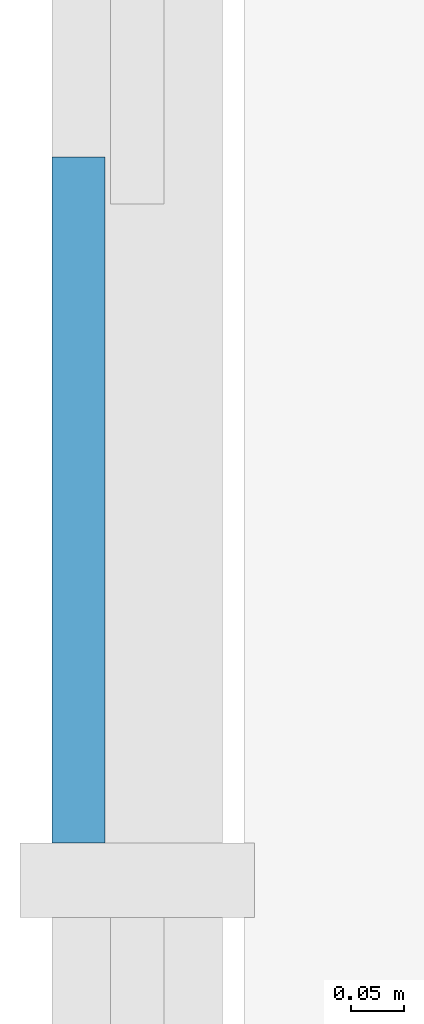
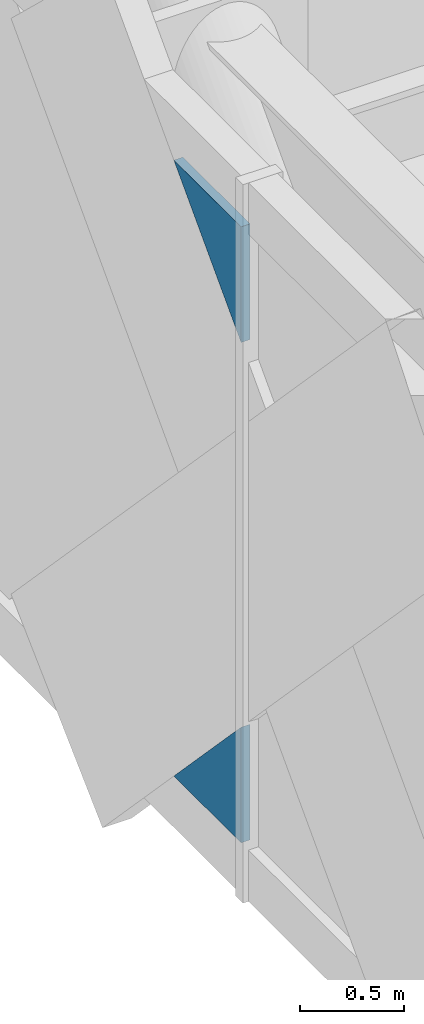
# One storey, part 12 of 18: 2 plates, 1 element without a shape of its own.
"""IFC4 building model written with IfcOpenShell, lengths in metres."""

import ifcopenshell
import ifcopenshell.guid

model = None  # the IFC model being written
_history = None  # IfcOwnerHistory: only IFC2X3 demands one
_inside = {}  # id of a spatial element -> (the spatial element, [elements in it])
_under = {}  # id of a project, library or spatial element -> (it, [spatial elements below it])
_declared = {}  # id of a project -> (the project, [libraries it declares])
_typed = {}  # id of a type object -> (the type object, [elements of that type])
_made_of = {}  # id of a material, layer set ... -> (it, [elements and type objects made of it])


def new_model(schema):
    """Start an empty IFC model of exactly this schema.

    Asked for "IFC4X3", IfcOpenShell would pick the latest addendum, in which some entities
    have other attributes; the version numbers below select the first issue.
    IFC2X3 requires an IfcOwnerHistory on every rooted entity: one is made here for all.
    """
    global model, _history
    if schema == "IFC4X3":
        model = ifcopenshell.file(schema_version=(4, 3, 0, 0))
    else:
        model = ifcopenshell.file(schema=schema)
    _inside.clear()
    _under.clear()
    _declared.clear()
    _typed.clear()
    _made_of.clear()
    _history = None
    if model.schema == "IFC2X3":
        org = make("IfcOrganization", Name="unknown")
        user = make(
            "IfcPersonAndOrganization",
            ThePerson=make("IfcPerson", FamilyName="unknown"),
            TheOrganization=org,
        )
        app = make(
            "IfcApplication",
            ApplicationDeveloper=org,
            Version="unknown",
            ApplicationFullName="unknown",
            ApplicationIdentifier="unknown",
        )
        _history = make(
            "IfcOwnerHistory",
            OwningUser=user,
            OwningApplication=app,
            ChangeAction="ADDED",
            CreationDate=0,
        )
    return model


def make(cls, **values):
    """One entity of the class cls with the attributes given. An attribute that is None is left unset."""
    return model.create_entity(
        cls, **{name: value for name, value in values.items() if value is not None}
    )


def rooted(cls, **values):
    """An entity with a GlobalId (a new one), such as an element, a storey or a relation."""
    return make(cls, GlobalId=ifcopenshell.guid.new(), OwnerHistory=_history, **values)


def si_unit(unit_type, name, prefix=None):
    """IfcSIUnit, for example si_unit("LENGTHUNIT", "METRE", prefix="MILLI")."""
    return make("IfcSIUnit", UnitType=unit_type, Prefix=prefix, Name=name)


def assignment(units):
    """IfcUnitAssignment: the units of a project."""
    return None if units is None else make("IfcUnitAssignment", Units=units)


def point(xyz):
    """IfcCartesianPoint."""
    return None if xyz is None else make("IfcCartesianPoint", Coordinates=xyz)


def direction(xyz):
    """IfcDirection."""
    return None if xyz is None else make("IfcDirection", DirectionRatios=xyz)


def frame(location, z_axis=None, x_axis=None):
    """IfcAxis2Placement3D, a coordinate frame: its origin and axes. An axis left out is left unset."""
    return make(
        "IfcAxis2Placement3D",
        Location=point(location),
        Axis=direction(z_axis),
        RefDirection=direction(x_axis),
    )


def origin():
    """The frame at (0, 0, 0) with its axes left unset."""
    return frame((0.0, 0.0, 0.0))


def place(relative_to, where):
    """IfcLocalPlacement: puts the frame where relative to a parent placement (None: the world)."""
    return make(
        "IfcLocalPlacement", PlacementRelTo=relative_to, RelativePlacement=where
    )


def context(
    kind, dimensions, precision=None, world=None, true_north=None, identifier=None
):
    """IfcGeometricRepresentationContext, for example the 3D "Model" context."""
    return make(
        "IfcGeometricRepresentationContext",
        ContextIdentifier=identifier,
        ContextType=kind,
        CoordinateSpaceDimension=dimensions,
        Precision=precision,
        WorldCoordinateSystem=world,
        TrueNorth=true_north,
    )


def subcontext(parent, identifier, kind, view, scale=None):
    """IfcGeometricRepresentationSubContext, for example "Body" below "Model"."""
    return make(
        "IfcGeometricRepresentationSubContext",
        ContextIdentifier=identifier,
        ContextType=kind,
        ParentContext=parent,
        TargetScale=scale,
        TargetView=view,
    )


def project(units=None, contexts=None):
    """IfcProject with its units and contexts."""
    return rooted(
        "IfcProject",
        Name="project",
        RepresentationContexts=contexts,
        UnitsInContext=assignment(units),
    )


def spatial(cls, under=None, at=None, **own):
    """A site, building, storey or space (cls), placed at a placement, below another one or the project."""
    s = rooted(cls, ObjectPlacement=at, **own)
    if under is not None:
        _under.setdefault(under.id(), (under, []))[1].append(s)
    return s


def polyline(points):
    """IfcPolyline through the points."""
    return make("IfcPolyline", Points=[point(p) for p in points])


def outline(outer, holes=None, kind="AREA"):
    """IfcArbitraryClosedProfileDef: a profile drawn as a closed curve; with holes, ...WithVoids."""
    if holes is None:
        return make("IfcArbitraryClosedProfileDef", ProfileType=kind, OuterCurve=outer)
    return make(
        "IfcArbitraryProfileDefWithVoids",
        ProfileType=kind,
        OuterCurve=outer,
        InnerCurves=holes,
    )


def extrude(swept, where, along, depth):
    """IfcExtrudedAreaSolid: the profile swept, set in the frame where, extruded along a direction by depth."""
    return make(
        "IfcExtrudedAreaSolid",
        SweptArea=swept,
        Position=where,
        ExtrudedDirection=direction(along),
        Depth=depth,
    )


def shape(context_of_items, identifier, shape_type, items):
    """IfcShapeRepresentation: the items that make up one representation, for example the "Body"."""
    return make(
        "IfcShapeRepresentation",
        ContextOfItems=context_of_items,
        RepresentationIdentifier=identifier,
        RepresentationType=shape_type,
        Items=items,
    )


def material(Name=None, Category=None):
    """IfcMaterial."""
    return make("IfcMaterial", Name=Name, Category=Category)


def layer(
    of_material, thickness, ventilated=None, Name=None, Category=None, Priority=None
):
    """IfcMaterialLayer: one layer of a wall or slab, of a material (None: an air gap)."""
    return make(
        "IfcMaterialLayer",
        Material=of_material,
        LayerThickness=thickness,
        IsVentilated=ventilated,
        Name=Name,
        Category=Category,
        Priority=Priority,
    )


def layer_set(layers, Name=None):
    """IfcMaterialLayerSet."""
    return make("IfcMaterialLayerSet", MaterialLayers=layers, LayerSetName=Name)


def made_of(thing, what):
    """Note that an element or type object is made of a material, layer set ...; save() writes the relation."""
    if what is not None:
        _made_of.setdefault(what.id(), (what, []))[1].append(thing)
    return thing


def type_object(cls, material=None, **own):
    """A type object (cls), such as IfcWallType, which elements share."""
    return made_of(rooted(cls, **own), material)


def element(
    cls,
    number,
    at=None,
    inside=None,
    cuts=None,
    type_object=None,
    material=None,
    context=None,
    identifier="Body",
    shape_type=None,
    held_by="IfcProductDefinitionShape",
    body=None,
    shapes=None,
    **own,
):
    """One element of the class cls, such as IfcWall. Its Tag is "e" and its number.

    at: its placement. inside: the storey or other place that contains it. cuts: it is an
    opening in that element (IfcRelVoidsElement). A single representation is given by context,
    identifier, shape_type and body (its items); several are given by shapes. held_by: the class
    of the entity that holds the representations. save() writes the other relations.
    """
    e = rooted(cls, Tag="e%d" % number, ObjectPlacement=at, **own)
    if body is not None:
        shapes = [shape(context, identifier, shape_type, body)]
    if shapes is not None:
        e.Representation = make(held_by, Representations=shapes)
    if inside is not None:
        _inside.setdefault(inside.id(), (inside, []))[1].append(e)
    if cuts is not None:
        rooted(
            "IfcRelVoidsElement", RelatingBuildingElement=cuts, RelatedOpeningElement=e
        )
    if type_object is not None:
        _typed.setdefault(type_object.id(), (type_object, []))[1].append(e)
    return made_of(e, material)


def aggregate(whole, parts):
    """IfcRelAggregates: a whole, such as a stair, and the parts it consists of."""
    return rooted("IfcRelAggregates", RelatingObject=whole, RelatedObjects=parts)


def save(model, path):
    """Write the relations noted so far, then the file.

    IfcRelAggregates (storeys below a building ...), IfcRelContainedInSpatialStructure (elements
    in a storey), IfcRelDefinesByType, IfcRelAssociatesMaterial and IfcRelDeclares: one each for
    every whole, place, type object, material and project.
    """
    for whole, parts in _under.values():
        aggregate(whole, parts)
    for where, things in _inside.values():
        rooted(
            "IfcRelContainedInSpatialStructure",
            RelatedElements=things,
            RelatingStructure=where,
        )
    for kind, things in _typed.values():
        rooted("IfcRelDefinesByType", RelatedObjects=things, RelatingType=kind)
    for what, things in _made_of.values():
        rooted("IfcRelAssociatesMaterial", RelatedObjects=things, RelatingMaterial=what)
    for by, libraries in _declared.values():
        rooted("IfcRelDeclares", RelatingContext=by, RelatedDefinitions=libraries)
    model.write(path)


model = new_model("IFC4")

# Units and contexts
model_context = context("Model", 3, precision=1e-05, world=origin(), true_north=direction((0.0, 1.0)))
body_context = subcontext(model_context, "Body", "Model", "MODEL_VIEW")
ifc_project = project(units=[si_unit("LENGTHUNIT", "METRE"), si_unit("AREAUNIT", "SQUARE_METRE"), si_unit("VOLUMEUNIT", "CUBIC_METRE"), si_unit("PLANEANGLEUNIT", "RADIAN"), si_unit("MASSUNIT", "GRAM", prefix="KILO")], contexts=[model_context])

# Site, building, storey
site_placement = place(None, origin())
site = spatial("IfcSite", under=ifc_project, at=site_placement, CompositionType="ELEMENT")
building_placement = place(site_placement, origin())
building = spatial("IfcBuilding", under=site, at=building_placement, Name="Rheinbord Bourse Tower", CompositionType="ELEMENT")
storey_placement = place(building_placement, frame((0.0, 0.0, 244.60009765625)))
storey = spatial("IfcBuildingStorey", under=building, at=storey_placement, Name="L55", CompositionType="ELEMENT", Elevation=244.60009765625)

# Curtain wall, plates
ifc_material_1 = material(Name="Dark glass and black aluminium", Category="aluminium")
curtain_wall_type = type_object("IfcCurtainWallType", Name="CW2 DARK GLASS CURTAIN WALL", PredefinedType="USERDEFINED", material=ifc_material_1)
curtain_wall_placement = place(storey_placement, origin())
curtain_wall = element("IfcCurtainWall", 1, at=curtain_wall_placement, inside=storey, type_object=curtain_wall_type, Name="Curtain wall CW2 W L55", ObjectType="UNITISED CURTAIN WALL", PredefinedType="USERDEFINED")
ifc_material_2 = material(Name="Dark tinted triple insulating glass", Category="glass")
ifc_layer = layer(ifc_material_2, 0.050048828125)
ifc_layer_set = layer_set([ifc_layer], Name="CW2 DARK GLASS PANEL")
plate_type = type_object("IfcPlateType", Name="CW2 DARK GLASS PANEL", PredefinedType="CURTAIN_PANEL", material=ifc_layer_set)
plate_1_placement = place(storey_placement, frame((-0.68017578125, 14.235107421875, 0.2998046875), z_axis=(1.0, 0.0, 0.0), x_axis=(0.0, 1.0, 0.0)))
plate_1 = element("IfcPlate", 2, at=plate_1_placement, type_object=plate_type, Name="CW2 glass facet 2", PredefinedType="CURTAIN_PANEL", context=body_context, shape_type="SweptSolid", body=[
    extrude(outline(polyline([(0.0, 0.0), (0.643798828125, 0.0), (0.0, 0.676025390625), (0.0, 0.0)])), origin(), (0.0, 0.0, 1.0), 0.050048828125),
])
plate_2_placement = place(storey_placement, frame((-0.68017578125, 14.235107421875, 3.89990234375), z_axis=(1.0, 0.0, 0.0), x_axis=(0.0, 0.0, -1.0)))
plate_2 = element("IfcPlate", 3, at=plate_2_placement, type_object=plate_type, Name="CW2 glass facet 3", PredefinedType="CURTAIN_PANEL", context=body_context, shape_type="SweptSolid", body=[
    extrude(outline(polyline([(0.0, 0.0), (0.676025390625, 0.0), (0.0, 0.643798828125), (0.0, 0.0)])), origin(), (0.0, 0.0, 1.0), 0.050048828125),
])
aggregate(curtain_wall, [plate_1, plate_2])

save(model, "model.ifc")
